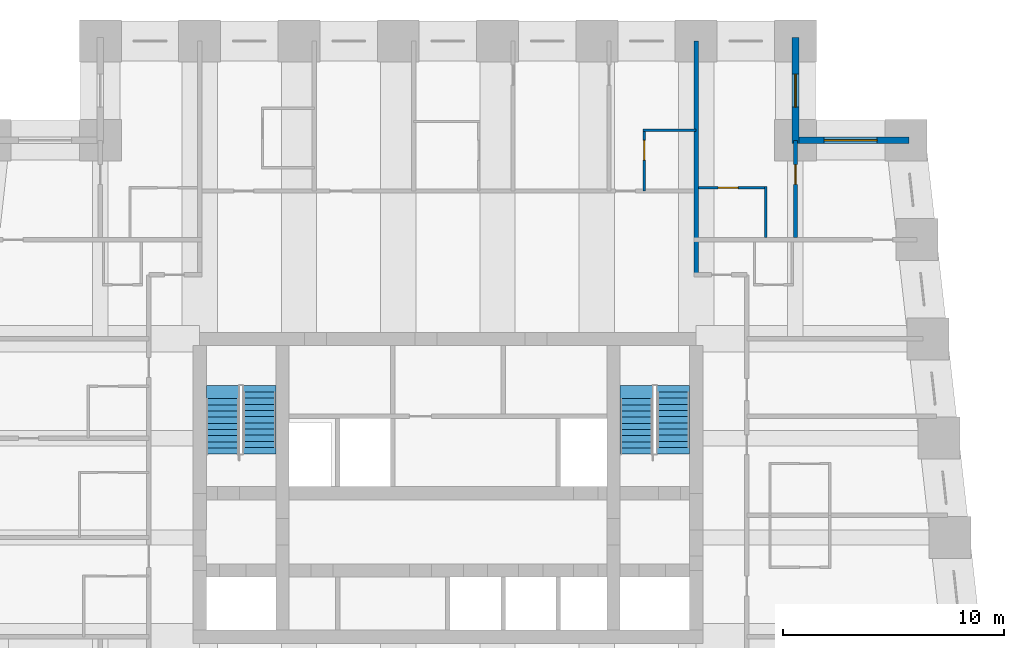
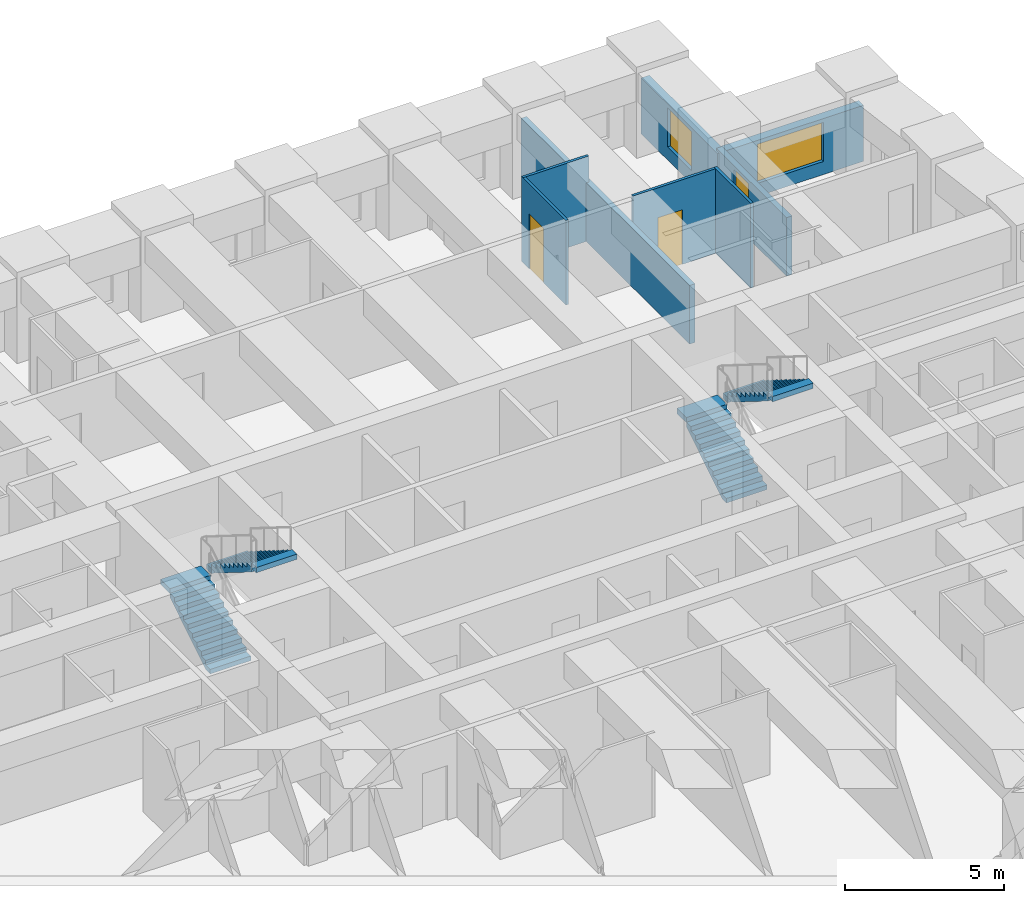
# One storey, part 7 of 8: 8 walls, 4 stair flights, 3 doors, 2 windows, 5 openings, 2 elements without a shape of their own.
"""IFC4 building model written with IfcOpenShell, lengths in metres."""

from ifc_helpers import new_model, si_unit, direction, frame, frame_2d, origin, place, context, subcontext, project, spatial, polyline, rectangle, outline, extrude, material, layer, layer_set, type_object, element, fill, aggregate, save


model = new_model("IFC4")

# Units and contexts
model_context = context("Model", 3, precision=1e-05, world=origin(), true_north=direction((0.0, 1.0)))
body_context = subcontext(model_context, "Body", "Model", "MODEL_VIEW")
ifc_project = project(units=[si_unit("LENGTHUNIT", "METRE"), si_unit("AREAUNIT", "SQUARE_METRE"), si_unit("VOLUMEUNIT", "CUBIC_METRE"), si_unit("PLANEANGLEUNIT", "RADIAN"), si_unit("MASSUNIT", "GRAM", prefix="KILO")], contexts=[model_context])

# Site, building, storey
site_placement = place(None, origin())
site = spatial("IfcSite", under=ifc_project, at=site_placement, CompositionType="ELEMENT")
building_placement = place(site_placement, origin())
building = spatial("IfcBuilding", under=site, at=building_placement, Name="Kilele Tower Hotel", CompositionType="ELEMENT")
storey_placement = place(building_placement, frame((0.0, 0.0, 124.89990234375)))
storey = spatial("IfcBuildingStorey", under=building, at=storey_placement, Name="L32", CompositionType="ELEMENT", Elevation=124.89990234375)

# Wall
ifc_material_1 = material(Name="Moisture-resistant board")
ifc_layer_1 = layer(ifc_material_1, 0.10009765625)
ifc_layer_set_1 = layer_set([ifc_layer_1], Name="Moisture-resistant board")
wall_type_1 = type_object("IfcWallType", Name="Bathroom partition 100", PredefinedType="PLUMBINGWALL", material=ifc_layer_set_1)
wall_1_placement = place(storey_placement, frame((33.60009765625, 36.449951171875, 0.0), z_axis=(0.0, 0.0, 1.0), x_axis=(1.0, 0.0, 0.0)))
element("IfcWall", 1, at=wall_1_placement, inside=storey, type_object=wall_type_1, Name="Bathroom partition 100 L32", PredefinedType="PLUMBINGWALL", context=body_context, shape_type="SweptSolid", body=[
    extrude(rectangle(XDim=2.39990234375, YDim=0.10009765625, at=frame_2d((1.199951171875, 0.0))), origin(), (0.0, 0.0, 1.0), 3.25),
])

# Wall, opening, door
wall_2_placement = place(storey_placement, frame((33.64990234375, 33.699951171875, 0.0), z_axis=(0.0, 0.0, 1.0), x_axis=(0.0, 1.0, 0.0)))
wall_2 = element("IfcWall", 2, at=wall_2_placement, inside=storey, type_object=wall_type_1, Name="Bathroom partition 100 L32", PredefinedType="PLUMBINGWALL", context=body_context, shape_type="SweptSolid", body=[
    extrude(rectangle(XDim=2.800048828125, YDim=0.10009765625, at=frame_2d((1.39990234375, 0.0))), origin(), (0.0, 0.0, 1.0), 3.25),
])
opening_1_placement = place(wall_2_placement, frame((1.39990234375, 0.0, 0.0)))
opening_1 = element("IfcOpeningElement", 3, at=opening_1_placement, cuts=wall_2, Name="Opening D2A", PredefinedType="OPENING", context=body_context, shape_type="SweptSolid", body=[
    extrude(rectangle(XDim=0.89990234375, YDim=2.10009765625, at=frame_2d((0.449951171875, 1.050048828125))), frame((0.0, 0.06005859375, 0.0), z_axis=(0.0, -1.0, 0.0), x_axis=(1.0, 0.0, 0.0)), (0.0, 0.0, 1.0), 0.1201171875),
])
ifc_material_2 = material(Name="Timber door leaf in hardwood frame", Category="wood")
door_type_1 = type_object("IfcDoorType", Name="Bathroom door 900", OperationType="SINGLE_SWING_LEFT", PredefinedType="DOOR", material=ifc_material_2)
door_1_placement = place(opening_1_placement, origin())
door_1 = element("IfcDoor", 4, at=door_1_placement, inside=storey, type_object=door_type_1, Name="Bathroom door 3213B", OperationType="SINGLE_SWING_LEFT", OverallHeight=2.10009765625, OverallWidth=0.89990234375, PredefinedType="DOOR", context=body_context, shape_type="SweptSolid", body=[
    extrude(rectangle(XDim=0.89990234375, YDim=2.10009765625, at=frame_2d((0.449951171875, 1.050048828125))), frame((0.0, 0.02490234375, 0.0), z_axis=(0.0, -1.0, 0.0), x_axis=(1.0, 0.0, 0.0)), (0.0, 0.0, 1.0), 0.050048828125),
])
fill(opening_1, door_1)

# Wall
wall_3_placement = place(storey_placement, frame((39.14990234375, 31.60009765625, 0.0), z_axis=(0.0, 0.0, 1.0), x_axis=(0.0, 1.0, 0.0)))
element("IfcWall", 5, at=wall_3_placement, inside=storey, type_object=wall_type_1, Name="Bathroom partition 100 L32", PredefinedType="PLUMBINGWALL", context=body_context, shape_type="SweptSolid", body=[
    extrude(rectangle(XDim=2.2998046875, YDim=0.10009765625, at=frame_2d((1.14990234375, 0.0))), origin(), (0.0, 0.0, 1.0), 3.25),
])

# Wall, opening, door
wall_4_placement = place(storey_placement, frame((36.10009765625, 33.85009765625, 0.0), z_axis=(0.0, 0.0, 1.0), x_axis=(1.0, 0.0, 0.0)))
wall_4 = element("IfcWall", 6, at=wall_4_placement, inside=storey, type_object=wall_type_1, Name="Bathroom partition 100 L32", PredefinedType="PLUMBINGWALL", context=body_context, shape_type="SweptSolid", body=[
    extrude(rectangle(XDim=3.099853515625, YDim=0.10009765625, at=frame_2d((1.5498046875, 0.0))), origin(), (0.0, 0.0, 1.0), 3.25),
])
opening_2_placement = place(wall_4_placement, frame((0.89990234375, 0.0, 0.0)))
opening_2 = element("IfcOpeningElement", 7, at=opening_2_placement, cuts=wall_4, Name="Opening D2A", PredefinedType="OPENING", context=body_context, shape_type="SweptSolid", body=[
    extrude(rectangle(XDim=0.89990234375, YDim=2.10009765625, at=frame_2d((0.449951171875, 1.050048828125))), frame((0.0, 0.06005859375, 0.0), z_axis=(0.0, -1.0, 0.0), x_axis=(1.0, 0.0, 0.0)), (0.0, 0.0, 1.0), 0.1201171875),
])
door_2_placement = place(opening_2_placement, origin())
door_2 = element("IfcDoor", 8, at=door_2_placement, inside=storey, type_object=door_type_1, Name="Bathroom door 3224B", OperationType="SINGLE_SWING_LEFT", OverallHeight=2.10009765625, OverallWidth=0.89990234375, PredefinedType="DOOR", context=body_context, shape_type="SweptSolid", body=[
    extrude(rectangle(XDim=0.89990234375, YDim=2.10009765625, at=frame_2d((0.449951171875, 1.050048828125))), frame((0.0, 0.02490234375, 0.0), z_axis=(0.0, -1.0, 0.0), x_axis=(1.0, 0.0, 0.0)), (0.0, 0.0, 1.0), 0.050048828125),
])
fill(opening_2, door_2)

ifc_material_3 = material(Name="Blockwork, plastered both sides", Category="masonry")
ifc_layer_2 = layer(ifc_material_3, 0.199951171875)
ifc_layer_set_2 = layer_set([ifc_layer_2], Name="Blockwork, plastered both sides")
wall_type_2 = type_object("IfcWallType", Name="Partition wall 200", PredefinedType="PARTITIONING", material=ifc_layer_set_2)
wall_5_placement = place(storey_placement, frame((40.5, 31.60009765625, 0.0), z_axis=(0.0, 0.0, 1.0), x_axis=(0.0, 1.0, 0.0)))
wall_5 = element("IfcWall", 9, at=wall_5_placement, inside=storey, type_object=wall_type_2, Name="Partition wall 200 L32", PredefinedType="PARTITIONING", context=body_context, shape_type="SweptSolid", body=[
    extrude(rectangle(XDim=4.39990234375, YDim=0.199951171875, at=frame_2d((2.199951171875, 0.0))), origin(), (0.0, 0.0, 1.0), 2.25),
])
opening_3_placement = place(wall_5_placement, frame((2.39990234375, 0.0, 0.0)))
opening_3 = element("IfcOpeningElement", 10, at=opening_3_placement, cuts=wall_5, Name="Opening D3", PredefinedType="OPENING", context=body_context, shape_type="SweptSolid", body=[
    extrude(rectangle(XDim=0.89990234375, YDim=2.10009765625, at=frame_2d((0.449951171875, 1.050048828125))), frame((0.0, 0.10986328125, 0.0), z_axis=(0.0, -1.0, 0.0), x_axis=(1.0, 0.0, 0.0)), (0.0, 0.0, 1.0), 0.219970703125),
])
ifc_material_4 = material(Name="Timber door leaf in hardwood frame", Category="wood")
door_type_2 = type_object("IfcDoorType", Name="Suite internal door 900", OperationType="SINGLE_SWING_LEFT", PredefinedType="DOOR", material=ifc_material_4)
door_3_placement = place(opening_3_placement, origin())
door_3 = element("IfcDoor", 11, at=door_3_placement, inside=storey, type_object=door_type_2, Name="Suite door 3225", OperationType="SINGLE_SWING_RIGHT", OverallHeight=2.10009765625, OverallWidth=0.89990234375, PredefinedType="DOOR", context=body_context, shape_type="SweptSolid", body=[
    extrude(rectangle(XDim=0.89990234375, YDim=2.10009765625, at=frame_2d((0.449951171875, 1.050048828125))), frame((0.0, 0.02490234375, 0.0), z_axis=(0.0, -1.0, 0.0), x_axis=(1.0, 0.0, 0.0)), (0.0, 0.0, 1.0), 0.050048828125),
])
fill(opening_3, door_3)

# Wall
ifc_material_5 = material(Name="Blockwork, plastered both sides", Category="masonry")
ifc_layer_3 = layer(ifc_material_5, 0.199951171875)
ifc_layer_set_3 = layer_set([ifc_layer_3], Name="Blockwork, plastered both sides")
wall_type_3 = type_object("IfcWallType", Name="Party wall 200", PredefinedType="PARTITIONING", material=ifc_layer_set_3)
wall_6_placement = place(storey_placement, frame((36.0, 29.89990234375, 0.0), z_axis=(0.0, 0.0, 1.0), x_axis=(0.0, 1.0, 0.0)))
element("IfcWall", 12, at=wall_6_placement, inside=storey, type_object=wall_type_3, Name="Party wall 200 L32", PredefinedType="PARTITIONING", context=body_context, shape_type="SweptSolid", body=[
    extrude(rectangle(XDim=10.60009765625, YDim=0.199951171875, at=frame_2d((5.300048828125, 0.0))), origin(), (0.0, 0.0, 1.0), 2.25),
])

# Wall, opening, window
ifc_material_6 = material(Name="Concrete C40/50 precast", Category="concrete")
ifc_layer_4 = layer(ifc_material_6, 0.260009765625, Name="Precast backing", Category="LoadBearing")
ifc_material_7 = material(Name="Reconstituted stone finish", Category="masonry")
ifc_layer_5 = layer(ifc_material_7, 0.0400390625, Name="Face mix", Category="Finish")
ifc_layer_set_4 = layer_set([ifc_layer_4, ifc_layer_5], Name="Precast concrete C40/50, reconstituted stone finish")
wall_type_4 = type_object("IfcWallType", Name="Precast stone facade wall 300", PredefinedType="STANDARD", material=ifc_layer_set_4)
wall_7_placement = place(storey_placement, frame((45.64990234375, 36.0, 0.0), z_axis=(0.0, 0.0, 1.0), x_axis=(-1.0, 0.0, 0.0)))
wall_7 = element("IfcWall", 13, at=wall_7_placement, inside=storey, type_object=wall_type_4, Name="Facade wall L32 edge 7", PredefinedType="STANDARD", context=body_context, shape_type="SweptSolid", body=[
    extrude(rectangle(XDim=5.2998046875, YDim=0.300048828125, at=frame_2d((2.64990234375, 0.0))), origin(), (0.0, 0.0, 1.0), 2.150146484375),
])
opening_4_placement = place(wall_7_placement, frame((1.449951171875, 0.0, 0.5)))
opening_4 = element("IfcOpeningElement", 14, at=opening_4_placement, cuts=wall_7, Name="Opening W2", PredefinedType="OPENING", context=body_context, shape_type="SweptSolid", body=[
    extrude(rectangle(XDim=2.39990234375, YDim=1.5, at=frame_2d((1.199951171875, 0.75))), frame((0.0, 0.159912109375, 0.0), z_axis=(0.0, -1.0, 0.0), x_axis=(1.0, 0.0, 0.0)), (0.0, 0.0, 1.0), 0.320068359375),
])
ifc_material_8 = material(Name="Aluminium frame, clear double glazing", Category="aluminium")
window_type_1 = type_object("IfcWindowType", Name="Window W2 2400 x 1500", PartitioningType="SINGLE_PANEL", PredefinedType="WINDOW", material=ifc_material_8)
window_1_placement = place(opening_4_placement, origin())
window_1 = element("IfcWindow", 15, at=window_1_placement, inside=storey, type_object=window_type_1, Name="Window L32", OverallHeight=1.5, OverallWidth=2.39990234375, PartitioningType="SINGLE_PANEL", PredefinedType="WINDOW", context=body_context, shape_type="SweptSolid", body=[
    extrude(rectangle(XDim=2.39990234375, YDim=1.5, at=frame_2d((1.199951171875, 0.75))), frame((0.0, 0.030029296875, 0.0), z_axis=(0.0, -1.0, 0.0), x_axis=(1.0, 0.0, 0.0)), (0.0, 0.0, 1.0), 0.06005859375),
])
fill(opening_4, window_1)

wall_8_placement = place(storey_placement, frame((40.5, 35.85009765625, 0.0), z_axis=(0.0, 0.0, 1.0), x_axis=(0.0, 1.0, 0.0)))
wall_8 = element("IfcWall", 16, at=wall_8_placement, inside=storey, type_object=wall_type_4, Name="Facade wall L32 edge 8", PredefinedType="STANDARD", context=body_context, shape_type="SweptSolid", body=[
    extrude(rectangle(XDim=4.7998046875, YDim=0.300048828125, at=frame_2d((2.39990234375, 0.0))), origin(), (0.0, 0.0, 1.0), 2.150146484375),
])
opening_5_placement = place(wall_8_placement, frame((1.64990234375, 0.0, 0.5)))
opening_5 = element("IfcOpeningElement", 17, at=opening_5_placement, cuts=wall_8, Name="Opening W2", PredefinedType="OPENING", context=body_context, shape_type="SweptSolid", body=[
    extrude(rectangle(XDim=1.5, YDim=1.5, at=frame_2d((0.75, 0.75))), frame((0.0, 0.159912109375, 0.0), z_axis=(0.0, -1.0, 0.0), x_axis=(1.0, 0.0, 0.0)), (0.0, 0.0, 1.0), 0.320068359375),
])
ifc_material_9 = material(Name="Aluminium frame, clear double glazing", Category="aluminium")
window_type_2 = type_object("IfcWindowType", Name="Window W2 1500 x 1500", PartitioningType="SINGLE_PANEL", PredefinedType="WINDOW", material=ifc_material_9)
window_2_placement = place(opening_5_placement, origin())
window_2 = element("IfcWindow", 18, at=window_2_placement, inside=storey, type_object=window_type_2, Name="Window L32", OverallHeight=1.5, OverallWidth=1.5, PartitioningType="SINGLE_PANEL", PredefinedType="WINDOW", context=body_context, shape_type="SweptSolid", body=[
    extrude(rectangle(XDim=1.5, YDim=1.5, at=frame_2d((0.75, 0.75))), frame((0.0, 0.030029296875, 0.0), z_axis=(0.0, -1.0, 0.0), x_axis=(1.0, 0.0, 0.0)), (0.0, 0.0, 1.0), 0.06005859375),
])
fill(opening_5, window_2)

# Stair, stair flights
ifc_material_10 = material(Name="Precast concrete C40/50", Category="concrete")
stair_type = type_object("IfcStairType", Name="Stair 1475 x 3500", PredefinedType="HALF_TURN_STAIR", material=ifc_material_10)
stair_1_placement = place(storey_placement, origin())
stair_1 = element("IfcStair", 19, at=stair_1_placement, inside=storey, type_object=stair_type, Name="Stair 1 L32", PredefinedType="HALF_TURN_STAIR")
ifc_material_11 = material(Name="Precast concrete C40/50", Category="concrete")
stair_flight_type = type_object("IfcStairFlightType", Name="Flight 1475 riser 175.0", PredefinedType="STRAIGHT", material=ifc_material_11)
stair_flight_1_placement = place(storey_placement, frame((14.53759765625, 21.77490234375, 0.0), z_axis=(0.0, 0.0, 1.0), x_axis=(0.0, 1.0, 0.0)))
stair_flight_1 = element("IfcStairFlight", 20, at=stair_flight_1_placement, type_object=stair_flight_type, Name="ST1 flight 1", NumberOfRisers=10, NumberOfTreads=9, PredefinedType="STRAIGHT", RiserHeight=0.175, TreadLength=0.28, context=body_context, shape_type="SweptSolid", body=[
    extrude(outline(polyline([(0.0, 0.0), (0.0, 0.175048828125), (0.280029296875, 0.175048828125), (0.280029296875, 0.35009765625), (0.56005859375, 0.35009765625), (0.56005859375, 0.52490234375), (0.840087890625, 0.52490234375), (0.840087890625, 0.699951171875), (1.1201171875, 0.699951171875), (1.1201171875, 0.875), (1.39990234375, 0.875), (1.39990234375, 1.050048828125), (1.679931640625, 1.050048828125), (1.679931640625, 1.22509765625), (1.9599609375, 1.22509765625), (1.9599609375, 1.39990234375), (2.239990234375, 1.39990234375), (2.239990234375, 1.574951171875), (2.52001953125, 1.574951171875), (2.52001953125, 1.75), (2.52001953125, 1.398193359375), (0.28271484375, 0.0), (0.0, 0.0)])), frame((0.0, 0.737548828125, 0.0), z_axis=(0.0, -1.0, 0.0), x_axis=(1.0, 0.0, 0.0)), (0.0, 0.0, 1.0), 1.47509765625),
    extrude(outline(polyline([(2.52001953125, 0.737548828125), (2.52001953125, -0.7373046875), (3.1201171875, -0.7373046875), (3.1201171875, 0.737548828125), (2.52001953125, 0.737548828125)])), frame((0.0, 0.0, 1.550048828125)), (0.0, 0.0, 1.0), 0.199951171875),
])
stair_flight_2_placement = place(storey_placement, frame((16.21240234375, 24.594970703125, 1.75), z_axis=(0.0, 0.0, 1.0), x_axis=(0.0, -1.0, 0.0)))
stair_flight_2 = element("IfcStairFlight", 21, at=stair_flight_2_placement, type_object=stair_flight_type, Name="ST1 flight 2", NumberOfRisers=10, NumberOfTreads=9, PredefinedType="STRAIGHT", RiserHeight=0.175, TreadLength=0.28, context=body_context, shape_type="SweptSolid", body=[
    extrude(outline(polyline([(0.0, 0.0), (0.0, 0.175048828125), (0.280029296875, 0.175048828125), (0.280029296875, 0.35009765625), (0.56005859375, 0.35009765625), (0.56005859375, 0.52490234375), (0.840087890625, 0.52490234375), (0.840087890625, 0.699951171875), (1.1201171875, 0.699951171875), (1.1201171875, 0.875), (1.39990234375, 0.875), (1.39990234375, 1.050048828125), (1.679931640625, 1.050048828125), (1.679931640625, 1.22509765625), (1.9599609375, 1.22509765625), (1.9599609375, 1.39990234375), (2.239990234375, 1.39990234375), (2.239990234375, 1.574951171875), (2.52001953125, 1.574951171875), (2.52001953125, 1.75), (2.52001953125, 1.398193359375), (0.28271484375, 0.0), (0.0, 0.0)])), frame((0.0, 0.737548828125, 0.0), z_axis=(0.0, -1.0, 0.0), x_axis=(1.0, 0.0, 0.0)), (0.0, 0.0, 1.0), 1.47509765625),
    extrude(outline(polyline([(0.0, -0.7373046875), (0.0, 0.737548828125), (-0.300048828125, 0.737548828125), (-0.300048828125, -0.7373046875), (0.0, -0.7373046875)])), frame((0.0, 0.0, -0.199951171875)), (0.0, 0.0, 1.0), 0.199951171875),
    extrude(outline(polyline([(2.820068359375, -0.7373046875), (2.820068359375, 0.737548828125), (2.52001953125, 0.737548828125), (2.52001953125, -0.7373046875), (2.820068359375, -0.7373046875)])), frame((0.0, 0.0, 1.550048828125)), (0.0, 0.0, 1.0), 0.199951171875),
])
aggregate(stair_1, [stair_flight_1, stair_flight_2])

stair_2_placement = place(storey_placement, origin())
stair_2 = element("IfcStair", 22, at=stair_2_placement, inside=storey, type_object=stair_type, Name="Stair 2 L32", PredefinedType="HALF_TURN_STAIR")
stair_flight_3_placement = place(storey_placement, frame((33.28759765625, 21.77490234375, 0.0), z_axis=(0.0, 0.0, 1.0), x_axis=(0.0, 1.0, 0.0)))
stair_flight_3 = element("IfcStairFlight", 23, at=stair_flight_3_placement, type_object=stair_flight_type, Name="ST2 flight 1", NumberOfRisers=10, NumberOfTreads=9, PredefinedType="STRAIGHT", RiserHeight=0.175, TreadLength=0.28, context=body_context, shape_type="SweptSolid", body=[
    extrude(outline(polyline([(0.0, 0.0), (0.0, 0.175048828125), (0.280029296875, 0.175048828125), (0.280029296875, 0.35009765625), (0.56005859375, 0.35009765625), (0.56005859375, 0.52490234375), (0.840087890625, 0.52490234375), (0.840087890625, 0.699951171875), (1.1201171875, 0.699951171875), (1.1201171875, 0.875), (1.39990234375, 0.875), (1.39990234375, 1.050048828125), (1.679931640625, 1.050048828125), (1.679931640625, 1.22509765625), (1.9599609375, 1.22509765625), (1.9599609375, 1.39990234375), (2.239990234375, 1.39990234375), (2.239990234375, 1.574951171875), (2.52001953125, 1.574951171875), (2.52001953125, 1.75), (2.52001953125, 1.398193359375), (0.28271484375, 0.0), (0.0, 0.0)])), frame((0.0, 0.737548828125, 0.0), z_axis=(0.0, -1.0, 0.0), x_axis=(1.0, 0.0, 0.0)), (0.0, 0.0, 1.0), 1.47509765625),
    extrude(outline(polyline([(2.52001953125, 0.737548828125), (2.52001953125, -0.7373046875), (3.1201171875, -0.7373046875), (3.1201171875, 0.737548828125), (2.52001953125, 0.737548828125)])), frame((0.0, 0.0, 1.550048828125)), (0.0, 0.0, 1.0), 0.199951171875),
])
stair_flight_4_placement = place(storey_placement, frame((34.96240234375, 24.594970703125, 1.75), z_axis=(0.0, 0.0, 1.0), x_axis=(0.0, -1.0, 0.0)))
stair_flight_4 = element("IfcStairFlight", 24, at=stair_flight_4_placement, type_object=stair_flight_type, Name="ST2 flight 2", NumberOfRisers=10, NumberOfTreads=9, PredefinedType="STRAIGHT", RiserHeight=0.175, TreadLength=0.28, context=body_context, shape_type="SweptSolid", body=[
    extrude(outline(polyline([(0.0, 0.0), (0.0, 0.175048828125), (0.280029296875, 0.175048828125), (0.280029296875, 0.35009765625), (0.56005859375, 0.35009765625), (0.56005859375, 0.52490234375), (0.840087890625, 0.52490234375), (0.840087890625, 0.699951171875), (1.1201171875, 0.699951171875), (1.1201171875, 0.875), (1.39990234375, 0.875), (1.39990234375, 1.050048828125), (1.679931640625, 1.050048828125), (1.679931640625, 1.22509765625), (1.9599609375, 1.22509765625), (1.9599609375, 1.39990234375), (2.239990234375, 1.39990234375), (2.239990234375, 1.574951171875), (2.52001953125, 1.574951171875), (2.52001953125, 1.75), (2.52001953125, 1.398193359375), (0.28271484375, 0.0), (0.0, 0.0)])), frame((0.0, 0.737548828125, 0.0), z_axis=(0.0, -1.0, 0.0), x_axis=(1.0, 0.0, 0.0)), (0.0, 0.0, 1.0), 1.47509765625),
    extrude(outline(polyline([(0.0, -0.7373046875), (0.0, 0.737548828125), (-0.300048828125, 0.737548828125), (-0.300048828125, -0.7373046875), (0.0, -0.7373046875)])), frame((0.0, 0.0, -0.199951171875)), (0.0, 0.0, 1.0), 0.199951171875),
    extrude(outline(polyline([(2.820068359375, -0.7373046875), (2.820068359375, 0.737548828125), (2.52001953125, 0.737548828125), (2.52001953125, -0.7373046875), (2.820068359375, -0.7373046875)])), frame((0.0, 0.0, 1.550048828125)), (0.0, 0.0, 1.0), 0.199951171875),
])
aggregate(stair_2, [stair_flight_3, stair_flight_4])

save(model, "model.ifc")
